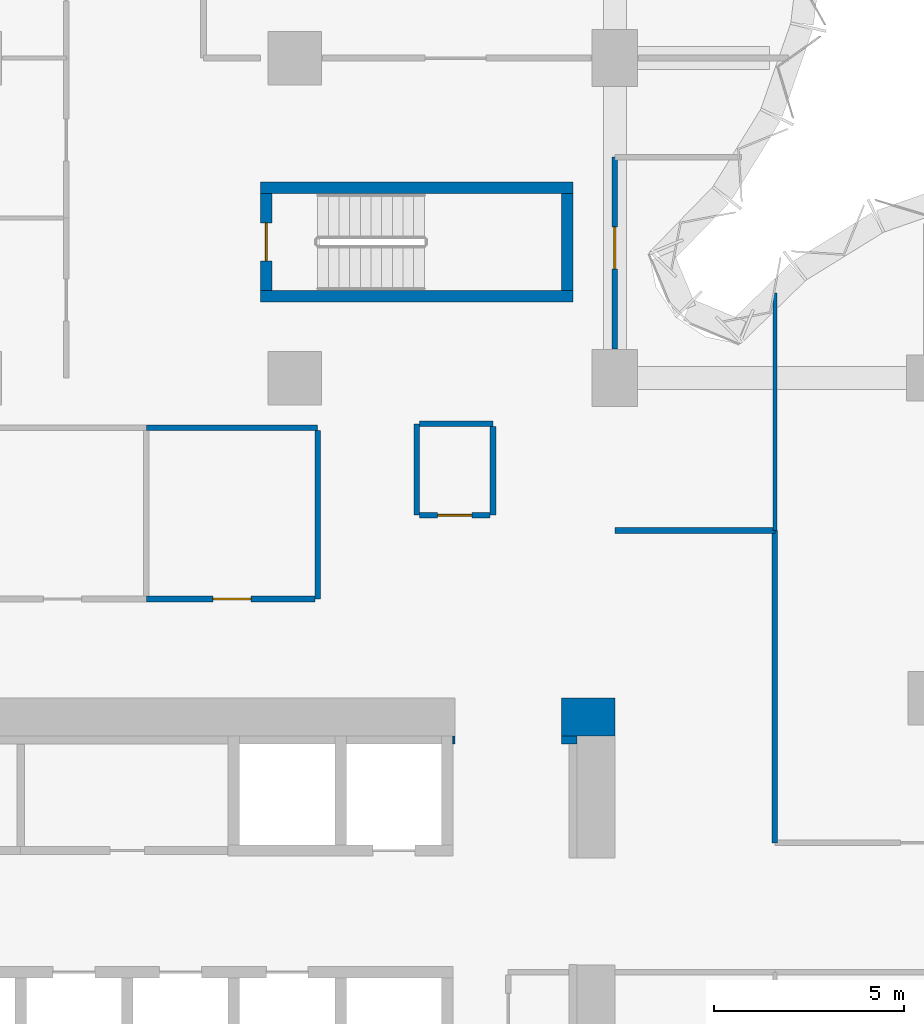
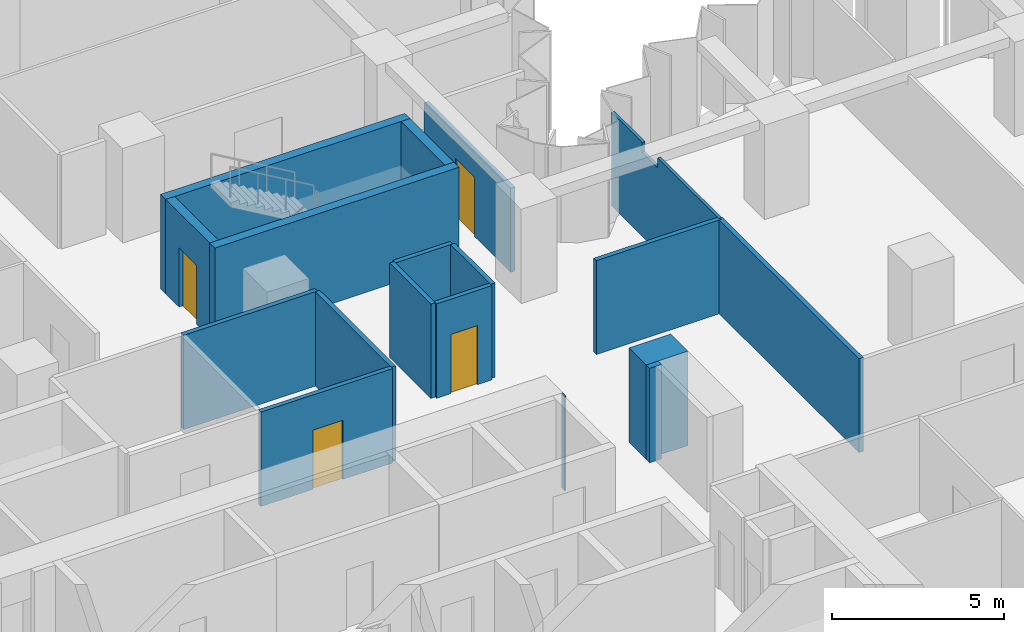
# One storey, part 9 of 15: 18 walls, 4 doors, 4 openings.
"""IFC4 building model written with IfcOpenShell, lengths in metres."""

import ifcopenshell
import ifcopenshell.guid

model = None  # the IFC model being written
_history = None  # IfcOwnerHistory: only IFC2X3 demands one
_inside = {}  # id of a spatial element -> (the spatial element, [elements in it])
_under = {}  # id of a project, library or spatial element -> (it, [spatial elements below it])
_declared = {}  # id of a project -> (the project, [libraries it declares])
_typed = {}  # id of a type object -> (the type object, [elements of that type])
_made_of = {}  # id of a material, layer set ... -> (it, [elements and type objects made of it])


def new_model(schema):
    """Start an empty IFC model of exactly this schema.

    Asked for "IFC4X3", IfcOpenShell would pick the latest addendum, in which some entities
    have other attributes; the version numbers below select the first issue.
    IFC2X3 requires an IfcOwnerHistory on every rooted entity: one is made here for all.
    """
    global model, _history
    if schema == "IFC4X3":
        model = ifcopenshell.file(schema_version=(4, 3, 0, 0))
    else:
        model = ifcopenshell.file(schema=schema)
    _inside.clear()
    _under.clear()
    _declared.clear()
    _typed.clear()
    _made_of.clear()
    _history = None
    if model.schema == "IFC2X3":
        org = make("IfcOrganization", Name="unknown")
        user = make(
            "IfcPersonAndOrganization",
            ThePerson=make("IfcPerson", FamilyName="unknown"),
            TheOrganization=org,
        )
        app = make(
            "IfcApplication",
            ApplicationDeveloper=org,
            Version="unknown",
            ApplicationFullName="unknown",
            ApplicationIdentifier="unknown",
        )
        _history = make(
            "IfcOwnerHistory",
            OwningUser=user,
            OwningApplication=app,
            ChangeAction="ADDED",
            CreationDate=0,
        )
    return model


def make(cls, **values):
    """One entity of the class cls with the attributes given. An attribute that is None is left unset."""
    return model.create_entity(
        cls, **{name: value for name, value in values.items() if value is not None}
    )


def rooted(cls, **values):
    """An entity with a GlobalId (a new one), such as an element, a storey or a relation."""
    return make(cls, GlobalId=ifcopenshell.guid.new(), OwnerHistory=_history, **values)


def si_unit(unit_type, name, prefix=None):
    """IfcSIUnit, for example si_unit("LENGTHUNIT", "METRE", prefix="MILLI")."""
    return make("IfcSIUnit", UnitType=unit_type, Prefix=prefix, Name=name)


def assignment(units):
    """IfcUnitAssignment: the units of a project."""
    return None if units is None else make("IfcUnitAssignment", Units=units)


def point(xyz):
    """IfcCartesianPoint."""
    return None if xyz is None else make("IfcCartesianPoint", Coordinates=xyz)


def direction(xyz):
    """IfcDirection."""
    return None if xyz is None else make("IfcDirection", DirectionRatios=xyz)


def frame(location, z_axis=None, x_axis=None):
    """IfcAxis2Placement3D, a coordinate frame: its origin and axes. An axis left out is left unset."""
    return make(
        "IfcAxis2Placement3D",
        Location=point(location),
        Axis=direction(z_axis),
        RefDirection=direction(x_axis),
    )


def frame_2d(location, x_axis=None):
    """IfcAxis2Placement2D, a coordinate frame in the plane: its origin and x axis."""
    return make(
        "IfcAxis2Placement2D", Location=point(location), RefDirection=direction(x_axis)
    )


def origin():
    """The frame at (0, 0, 0) with its axes left unset."""
    return frame((0.0, 0.0, 0.0))


def place(relative_to, where):
    """IfcLocalPlacement: puts the frame where relative to a parent placement (None: the world)."""
    return make(
        "IfcLocalPlacement", PlacementRelTo=relative_to, RelativePlacement=where
    )


def context(
    kind, dimensions, precision=None, world=None, true_north=None, identifier=None
):
    """IfcGeometricRepresentationContext, for example the 3D "Model" context."""
    return make(
        "IfcGeometricRepresentationContext",
        ContextIdentifier=identifier,
        ContextType=kind,
        CoordinateSpaceDimension=dimensions,
        Precision=precision,
        WorldCoordinateSystem=world,
        TrueNorth=true_north,
    )


def subcontext(parent, identifier, kind, view, scale=None):
    """IfcGeometricRepresentationSubContext, for example "Body" below "Model"."""
    return make(
        "IfcGeometricRepresentationSubContext",
        ContextIdentifier=identifier,
        ContextType=kind,
        ParentContext=parent,
        TargetScale=scale,
        TargetView=view,
    )


def project(units=None, contexts=None):
    """IfcProject with its units and contexts."""
    return rooted(
        "IfcProject",
        Name="project",
        RepresentationContexts=contexts,
        UnitsInContext=assignment(units),
    )


def spatial(cls, under=None, at=None, **own):
    """A site, building, storey or space (cls), placed at a placement, below another one or the project."""
    s = rooted(cls, ObjectPlacement=at, **own)
    if under is not None:
        _under.setdefault(under.id(), (under, []))[1].append(s)
    return s


def polyline(points):
    """IfcPolyline through the points."""
    return make("IfcPolyline", Points=[point(p) for p in points])


def profile(cls, at=None, kind="AREA", **sizes):
    """A parametric profile (cls). Its sizes go by their IFC names, for example OverallWidth=200.0."""
    return make(cls, ProfileType=kind, Position=at, **sizes)


def rectangle(**sizes):
    """IfcRectangleProfileDef."""
    return profile("IfcRectangleProfileDef", **sizes)


def outline(outer, holes=None, kind="AREA"):
    """IfcArbitraryClosedProfileDef: a profile drawn as a closed curve; with holes, ...WithVoids."""
    if holes is None:
        return make("IfcArbitraryClosedProfileDef", ProfileType=kind, OuterCurve=outer)
    return make(
        "IfcArbitraryProfileDefWithVoids",
        ProfileType=kind,
        OuterCurve=outer,
        InnerCurves=holes,
    )


def extrude(swept, where, along, depth):
    """IfcExtrudedAreaSolid: the profile swept, set in the frame where, extruded along a direction by depth."""
    return make(
        "IfcExtrudedAreaSolid",
        SweptArea=swept,
        Position=where,
        ExtrudedDirection=direction(along),
        Depth=depth,
    )


def shape(context_of_items, identifier, shape_type, items):
    """IfcShapeRepresentation: the items that make up one representation, for example the "Body"."""
    return make(
        "IfcShapeRepresentation",
        ContextOfItems=context_of_items,
        RepresentationIdentifier=identifier,
        RepresentationType=shape_type,
        Items=items,
    )


def material(Name=None, Category=None):
    """IfcMaterial."""
    return make("IfcMaterial", Name=Name, Category=Category)


def layer(
    of_material, thickness, ventilated=None, Name=None, Category=None, Priority=None
):
    """IfcMaterialLayer: one layer of a wall or slab, of a material (None: an air gap)."""
    return make(
        "IfcMaterialLayer",
        Material=of_material,
        LayerThickness=thickness,
        IsVentilated=ventilated,
        Name=Name,
        Category=Category,
        Priority=Priority,
    )


def layer_set(layers, Name=None):
    """IfcMaterialLayerSet."""
    return make("IfcMaterialLayerSet", MaterialLayers=layers, LayerSetName=Name)


def made_of(thing, what):
    """Note that an element or type object is made of a material, layer set ...; save() writes the relation."""
    if what is not None:
        _made_of.setdefault(what.id(), (what, []))[1].append(thing)
    return thing


def type_object(cls, material=None, **own):
    """A type object (cls), such as IfcWallType, which elements share."""
    return made_of(rooted(cls, **own), material)


def element(
    cls,
    number,
    at=None,
    inside=None,
    cuts=None,
    type_object=None,
    material=None,
    context=None,
    identifier="Body",
    shape_type=None,
    held_by="IfcProductDefinitionShape",
    body=None,
    shapes=None,
    **own,
):
    """One element of the class cls, such as IfcWall. Its Tag is "e" and its number.

    at: its placement. inside: the storey or other place that contains it. cuts: it is an
    opening in that element (IfcRelVoidsElement). A single representation is given by context,
    identifier, shape_type and body (its items); several are given by shapes. held_by: the class
    of the entity that holds the representations. save() writes the other relations.
    """
    e = rooted(cls, Tag="e%d" % number, ObjectPlacement=at, **own)
    if body is not None:
        shapes = [shape(context, identifier, shape_type, body)]
    if shapes is not None:
        e.Representation = make(held_by, Representations=shapes)
    if inside is not None:
        _inside.setdefault(inside.id(), (inside, []))[1].append(e)
    if cuts is not None:
        rooted(
            "IfcRelVoidsElement", RelatingBuildingElement=cuts, RelatedOpeningElement=e
        )
    if type_object is not None:
        _typed.setdefault(type_object.id(), (type_object, []))[1].append(e)
    return made_of(e, material)


def fill(opening, filler):
    """IfcRelFillsElement: the door or window that sits in an opening."""
    return rooted(
        "IfcRelFillsElement",
        RelatingOpeningElement=opening,
        RelatedBuildingElement=filler,
    )


def aggregate(whole, parts):
    """IfcRelAggregates: a whole, such as a stair, and the parts it consists of."""
    return rooted("IfcRelAggregates", RelatingObject=whole, RelatedObjects=parts)


def save(model, path):
    """Write the relations noted so far, then the file.

    IfcRelAggregates (storeys below a building ...), IfcRelContainedInSpatialStructure (elements
    in a storey), IfcRelDefinesByType, IfcRelAssociatesMaterial and IfcRelDeclares: one each for
    every whole, place, type object, material and project.
    """
    for whole, parts in _under.values():
        aggregate(whole, parts)
    for where, things in _inside.values():
        rooted(
            "IfcRelContainedInSpatialStructure",
            RelatedElements=things,
            RelatingStructure=where,
        )
    for kind, things in _typed.values():
        rooted("IfcRelDefinesByType", RelatedObjects=things, RelatingType=kind)
    for what, things in _made_of.values():
        rooted("IfcRelAssociatesMaterial", RelatedObjects=things, RelatingMaterial=what)
    for by, libraries in _declared.values():
        rooted("IfcRelDeclares", RelatingContext=by, RelatedDefinitions=libraries)
    model.write(path)


model = new_model("IFC4")

# Units and contexts
model_context = context("Model", 3, precision=1e-05, world=origin(), true_north=direction((0.0, 1.0)))
body_context = subcontext(model_context, "Body", "Model", "MODEL_VIEW")
ifc_project = project(units=[si_unit("LENGTHUNIT", "METRE"), si_unit("AREAUNIT", "SQUARE_METRE"), si_unit("VOLUMEUNIT", "CUBIC_METRE"), si_unit("PLANEANGLEUNIT", "RADIAN"), si_unit("MASSUNIT", "GRAM", prefix="KILO")], contexts=[model_context])

# Site, building, storey
site_placement = place(None, origin())
site = spatial("IfcSite", under=ifc_project, at=site_placement, CompositionType="ELEMENT")
building_placement = place(site_placement, origin())
building = spatial("IfcBuilding", under=site, at=building_placement, Name="Brevane Broadcast Tower", CompositionType="ELEMENT")
storey_placement = place(building_placement, frame((0.0, 0.0, 50.89990234375)))
storey = spatial("IfcBuildingStorey", under=building, at=storey_placement, Name="L10", CompositionType="ELEMENT", Elevation=50.89990234375)

# Walls
ifc_material_1 = material(Name="Concrete C32/40", Category="concrete")
ifc_layer_1 = layer(ifc_material_1, 0.199951171875)
ifc_layer_set_1 = layer_set([ifc_layer_1], Name="Core chase wall 200 mm")
wall_type_1 = type_object("IfcWallType", Name="Core chase wall 200 mm", PredefinedType="PARTITIONING", material=ifc_layer_set_1)
wall_1_placement = place(storey_placement, frame((23.800048828125, 15.699951171875, 0.0), z_axis=(0.0, 0.0, 1.0), x_axis=(1.0, 0.0, 0.0)))
element("IfcWall", 1, at=wall_1_placement, inside=storey, type_object=wall_type_1, Name="L10 chase wall LN2", PredefinedType="PARTITIONING", context=body_context, shape_type="SweptSolid", body=[
    extrude(rectangle(XDim=0.39990234375, YDim=0.199951171875, at=frame_2d((0.199951171875, 0.0))), origin(), (0.0, 0.0, 1.0), 3.35009765625),
])
wall_2_placement = place(storey_placement, frame((20.949951171875, 15.699951171875, 0.0), z_axis=(0.0, 0.0, 1.0), x_axis=(1.0, 0.0, 0.0)))
element("IfcWall", 2, at=wall_2_placement, inside=storey, type_object=wall_type_1, Name="L10 chase wall LN1-2-2-2-2", PredefinedType="PARTITIONING", context=body_context, shape_type="SweptSolid", body=[
    extrude(rectangle(XDim=0.050048828125, YDim=0.199951171875, at=frame_2d((0.02490234375, 0.0))), origin(), (0.0, 0.0, 1.0), 3.35009765625),
])
ifc_material_2 = material(Name="Gypsum board on steel studs", Category="steel")
ifc_layer_2 = layer(ifc_material_2, 0.14990234375)
ifc_layer_set_2 = layer_set([ifc_layer_2], Name="Core fire partition 150 mm")
wall_type_2 = type_object("IfcWallType", Name="Core fire partition 150 mm", PredefinedType="PARTITIONING", material=ifc_layer_set_2)
wall_3_placement = place(storey_placement, frame((12.89990234375, 23.89990234375, 0.0), z_axis=(0.0, 0.0, 1.0), x_axis=(1.0, 0.0, 0.0)))
element("IfcWall", 3, at=wall_3_placement, inside=storey, type_object=wall_type_2, Name="L10 partition wall P19", PredefinedType="PARTITIONING", context=body_context, shape_type="SweptSolid", body=[
    extrude(rectangle(XDim=4.5, YDim=0.14990234375, at=frame_2d((2.25, 0.0))), origin(), (0.0, 0.0, 1.0), 3.35009765625),
])
wall_4_placement = place(storey_placement, frame((17.39990234375, 23.824951171875, 0.0), z_axis=(0.0, 0.0, 1.0), x_axis=(0.0, -1.0, 0.0)))
element("IfcWall", 4, at=wall_4_placement, inside=storey, type_object=wall_type_2, Name="L10 partition wall P20", PredefinedType="PARTITIONING", context=body_context, shape_type="SweptSolid", body=[
    extrude(rectangle(XDim=4.425048828125, YDim=0.14990234375, at=frame_2d((2.21240234375, 0.0))), origin(), (0.0, 0.0, 1.0), 3.35009765625),
])

# Wall, opening, door
wall_5_placement = place(storey_placement, frame((17.324951171875, 19.39990234375, 0.0), z_axis=(0.0, 0.0, 1.0), x_axis=(-1.0, 0.0, 0.0)))
wall_5 = element("IfcWall", 5, at=wall_5_placement, inside=storey, type_object=wall_type_2, Name="L10 partition wall P21", PredefinedType="PARTITIONING", context=body_context, shape_type="SweptSolid", body=[
    extrude(rectangle(XDim=4.425048828125, YDim=0.14990234375, at=frame_2d((2.21240234375, 0.0))), origin(), (0.0, 0.0, 1.0), 3.35009765625),
])
opening_1_placement = place(wall_5_placement, frame((1.675048828125, 0.0, 0.0)))
opening_1 = element("IfcOpeningElement", 6, at=opening_1_placement, cuts=wall_5, Name="Opening L10-K26", PredefinedType="OPENING", context=body_context, shape_type="SweptSolid", body=[
    extrude(rectangle(XDim=1.0, YDim=2.10009765625, at=frame_2d((0.5, 1.050048828125))), frame((0.0, 0.0849609375, 0.0), z_axis=(0.0, -1.0, 0.0), x_axis=(1.0, 0.0, 0.0)), (0.0, 0.0, 1.0), 0.169921875),
])
ifc_material_3 = material(Name="Steel", Category="steel")
door_type_1 = type_object("IfcDoorType", Name="Service room door 1000 x 2100", OperationType="SINGLE_SWING_LEFT", PredefinedType="DOOR", material=ifc_material_3)
door_1_placement = place(opening_1_placement, origin())
door_1 = element("IfcDoor", 7, at=door_1_placement, inside=storey, type_object=door_type_1, Name="Door L10-K26", OperationType="SINGLE_SWING_RIGHT", OverallHeight=2.10009765625, OverallWidth=1.0, PredefinedType="DOOR", context=body_context, shape_type="SweptSolid", body=[
    extrude(rectangle(XDim=1.0, YDim=2.10009765625, at=frame_2d((0.5, 1.050048828125))), frame((0.0, 0.02490234375, 0.0), z_axis=(0.0, -1.0, 0.0), x_axis=(1.0, 0.0, 0.0)), (0.0, 0.0, 1.0), 0.050048828125),
])
fill(opening_1, door_1)

# Walls
wall_6_placement = place(storey_placement, frame((20.0, 21.60009765625, 0.0), z_axis=(0.0, 0.0, 1.0), x_axis=(0.0, 1.0, 0.0)))
element("IfcWall", 8, at=wall_6_placement, inside=storey, type_object=wall_type_2, Name="L10 partition wall P25", PredefinedType="PARTITIONING", context=body_context, shape_type="SweptSolid", body=[
    extrude(rectangle(XDim=2.39990234375, YDim=0.14990234375, at=frame_2d((1.199951171875, 0.0))), origin(), (0.0, 0.0, 1.0), 3.35009765625),
])
wall_7_placement = place(storey_placement, frame((20.074951171875, 24.0, 0.0), z_axis=(0.0, 0.0, 1.0), x_axis=(1.0, 0.0, 0.0)))
element("IfcWall", 9, at=wall_7_placement, inside=storey, type_object=wall_type_2, Name="L10 partition wall P26", PredefinedType="PARTITIONING", context=body_context, shape_type="SweptSolid", body=[
    extrude(rectangle(XDim=1.925048828125, YDim=0.14990234375, at=frame_2d((0.96240234375, 0.0))), origin(), (0.0, 0.0, 1.0), 3.35009765625),
])
wall_8_placement = place(storey_placement, frame((22.0, 23.925048828125, 0.0), z_axis=(0.0, 0.0, 1.0), x_axis=(0.0, -1.0, 0.0)))
element("IfcWall", 10, at=wall_8_placement, inside=storey, type_object=wall_type_2, Name="L10 partition wall P27", PredefinedType="PARTITIONING", context=body_context, shape_type="SweptSolid", body=[
    extrude(rectangle(XDim=2.324951171875, YDim=0.14990234375, at=frame_2d((1.16259765625, 0.0))), origin(), (0.0, 0.0, 1.0), 3.35009765625),
])

# Wall, opening, door
wall_9_placement = place(storey_placement, frame((21.925048828125, 21.60009765625, 0.0), z_axis=(0.0, 0.0, 1.0), x_axis=(-1.0, 0.0, 0.0)))
wall_9 = element("IfcWall", 11, at=wall_9_placement, inside=storey, type_object=wall_type_2, Name="L10 partition wall P28", PredefinedType="PARTITIONING", context=body_context, shape_type="SweptSolid", body=[
    extrude(rectangle(XDim=1.85009765625, YDim=0.14990234375, at=frame_2d((0.925048828125, 0.0))), origin(), (0.0, 0.0, 1.0), 3.35009765625),
])
opening_2_placement = place(wall_9_placement, frame((0.47509765625, 0.0, 0.0)))
opening_2 = element("IfcOpeningElement", 12, at=opening_2_placement, cuts=wall_9, Name="Opening L10-K24", PredefinedType="OPENING", context=body_context, shape_type="SweptSolid", body=[
    extrude(rectangle(XDim=0.89990234375, YDim=2.10009765625, at=frame_2d((0.449951171875, 1.050048828125))), frame((0.0, 0.0849609375, 0.0), z_axis=(0.0, -1.0, 0.0), x_axis=(1.0, 0.0, 0.0)), (0.0, 0.0, 1.0), 0.169921875),
])
ifc_material_4 = material(Name="Timber", Category="wood")
door_type_2 = type_object("IfcDoorType", Name="Toilet door 900 x 2100", OperationType="SINGLE_SWING_LEFT", PredefinedType="DOOR", material=ifc_material_4)
door_2_placement = place(opening_2_placement, origin())
door_2 = element("IfcDoor", 13, at=door_2_placement, inside=storey, type_object=door_type_2, Name="Door L10-K24", OperationType="SINGLE_SWING_RIGHT", OverallHeight=2.10009765625, OverallWidth=0.89990234375, PredefinedType="DOOR", context=body_context, shape_type="SweptSolid", body=[
    extrude(rectangle(XDim=0.89990234375, YDim=2.10009765625, at=frame_2d((0.449951171875, 1.050048828125))), frame((0.0, 0.02490234375, 0.0), z_axis=(0.0, -1.0, 0.0), x_axis=(1.0, 0.0, 0.0)), (0.0, 0.0, 1.0), 0.050048828125),
])
fill(opening_2, door_2)

# Walls
ifc_material_5 = material(Name="Concrete C80/95", Category="concrete")
ifc_layer_3 = layer(ifc_material_5, 1.0)
ifc_layer_set_3 = layer_set([ifc_layer_3], Name="Core wall 1000 mm C80/95")
wall_type_3 = type_object("IfcWallType", Name="Core wall 1000 mm C80/95", PredefinedType="SHEAR", material=ifc_layer_set_3)
wall_10_placement = place(storey_placement, frame((23.800048828125, 16.300048828125, 0.0), z_axis=(0.0, 0.0, 1.0), x_axis=(1.0, 0.0, 0.0)))
element("IfcWall", 14, at=wall_10_placement, inside=storey, type_object=wall_type_3, Name="L10 outer wall WN2", PredefinedType="SHEAR", context=body_context, shape_type="SweptSolid", body=[
    extrude(rectangle(XDim=1.39990234375, YDim=1.0, at=frame_2d((0.699951171875, 0.0))), origin(), (0.0, 0.0, 1.0), 3.35009765625),
])
ifc_layer_4 = layer(ifc_material_5, 0.300048828125)
ifc_layer_set_4 = layer_set([ifc_layer_4], Name="Core wall 300 mm C80/95")
wall_type_4 = type_object("IfcWallType", Name="Core wall 300 mm C80/95", PredefinedType="SHEAR", material=ifc_layer_set_4)
for number, where, z_axis, x_axis, name in (
    (15, (15.89990234375, 27.35009765625, 0.0), (0.0, 0.0, 1.0), (1.0, 0.0, 0.0), "L10 stair wall ST-3-S"),
    (16, (15.89990234375, 30.199951171875, 0.0), (0.0, 0.0, 1.0), (1.0, 0.0, 0.0), "L10 stair wall ST-3-N"),
):
    element("IfcWall", number, at=place(storey_placement, frame(where, z_axis=z_axis, x_axis=x_axis)), inside=storey, type_object=wall_type_4, Name=name, PredefinedType="SHEAR", context=body_context, shape_type="SweptSolid", body=[
        extrude(rectangle(XDim=8.2001953125, YDim=0.300048828125, at=frame_2d((4.10009765625, 0.0))), origin(), (0.0, 0.0, 1.0), 3.35009765625),
    ])

# Wall, opening, door
wall_11_placement = place(storey_placement, frame((16.050048828125, 27.5, 0.0), z_axis=(0.0, 0.0, 1.0), x_axis=(0.0, 1.0, 0.0)))
wall_11 = element("IfcWall", 17, at=wall_11_placement, inside=storey, type_object=wall_type_4, Name="L10 stair wall ST-3-W", PredefinedType="SHEAR", context=body_context, shape_type="SweptSolid", body=[
    extrude(rectangle(XDim=2.550048828125, YDim=0.300048828125, at=frame_2d((1.27490234375, 0.0))), origin(), (0.0, 0.0, 1.0), 3.35009765625),
])
opening_3_placement = place(wall_11_placement, frame((0.77490234375, 0.0, 0.0)))
opening_3 = element("IfcOpeningElement", 18, at=opening_3_placement, cuts=wall_11, Name="Opening L10-K14", PredefinedType="OPENING", context=body_context, shape_type="SweptSolid", body=[
    extrude(rectangle(XDim=1.0, YDim=2.10009765625, at=frame_2d((0.5, 1.050048828125))), frame((0.0, 0.159912109375, 0.0), z_axis=(0.0, -1.0, 0.0), x_axis=(1.0, 0.0, 0.0)), (0.0, 0.0, 1.0), 0.320068359375),
])
door_type_3 = type_object("IfcDoorType", Name="Stair door 1000 x 2100", OperationType="SINGLE_SWING_LEFT", PredefinedType="DOOR", material=ifc_material_3)
door_3_placement = place(opening_3_placement, origin())
door_3 = element("IfcDoor", 19, at=door_3_placement, inside=storey, type_object=door_type_3, Name="Door L10-K14", OperationType="SINGLE_SWING_RIGHT", OverallHeight=2.10009765625, OverallWidth=1.0, PredefinedType="DOOR", context=body_context, shape_type="SweptSolid", body=[
    extrude(rectangle(XDim=1.0, YDim=2.10009765625, at=frame_2d((0.5, 1.050048828125))), frame((0.0, 0.02490234375, 0.0), z_axis=(0.0, -1.0, 0.0), x_axis=(1.0, 0.0, 0.0)), (0.0, 0.0, 1.0), 0.050048828125),
])
fill(opening_3, door_3)

# Walls
wall_12_placement = place(storey_placement, frame((23.949951171875, 27.5, 0.0), z_axis=(0.0, 0.0, 1.0), x_axis=(0.0, 1.0, 0.0)))
element("IfcWall", 20, at=wall_12_placement, inside=storey, type_object=wall_type_4, Name="L10 stair wall ST-3-E", PredefinedType="SHEAR", context=body_context, shape_type="SweptSolid", body=[
    extrude(rectangle(XDim=2.550048828125, YDim=0.300048828125, at=frame_2d((1.27490234375, 0.0))), origin(), (0.0, 0.0, 1.0), 3.35009765625),
])
ifc_material_6 = material(Name="Gypsum board partition")
ifc_layer_5 = layer(ifc_material_6, 0.10009765625)
ifc_layer_set_5 = layer_set([ifc_layer_5], Name="PARTITION 100 STUD")
wall_type_5 = type_object("IfcWallType", Name="PARTITION 100 STUD", PredefinedType="PARTITIONING", material=ifc_layer_set_5)
wall_13_placement = place(storey_placement, frame((29.39990234375, 27.428955078125, 0.0), z_axis=(0.0, 0.0, 1.0), x_axis=(0.0, -1.0, 0.0)))
element("IfcWall", 21, at=wall_13_placement, inside=storey, type_object=wall_type_5, Name="Partition G02-004", PredefinedType="PARTITIONING", context=body_context, shape_type="SweptSolid", body=[
    extrude(outline(polyline([(0.0, 0.0), (6.22900390625, 0.0), (6.22900390625, 3.330078125), (2.678955078125, 3.330078125), (2.677001953125, 2.97998046875), (1.781005859375, 2.97998046875), (1.779052734375, 3.330078125), (0.154052734375, 3.330078125), (0.0, 3.330078125), (0.0, 0.0)])), frame((0.0, 0.050048828125, 0.0), z_axis=(0.0, -1.0, 0.0), x_axis=(1.0, 0.0, 0.0)), (0.0, 0.0, 1.0), 0.10009765625),
])
ifc_layer_6 = layer(ifc_material_6, 0.14990234375)
ifc_layer_set_6 = layer_set([ifc_layer_6], Name="PARTITION 150 EI 60")
wall_type_6 = type_object("IfcWallType", Name="PARTITION 150 EI 60", PredefinedType="PARTITIONING", material=ifc_layer_set_6)
wall_14_placement = place(storey_placement, frame((25.199951171875, 21.199951171875, 0.0), z_axis=(0.0, 0.0, 1.0), x_axis=(1.0, 0.0, 0.0)))
element("IfcWall", 22, at=wall_14_placement, inside=storey, type_object=wall_type_6, Name="Partition G02-001", PredefinedType="PARTITIONING", context=body_context, shape_type="SweptSolid", body=[
    extrude(rectangle(XDim=4.199951171875, YDim=0.14990234375, at=frame_2d((2.10009765625, 0.0))), origin(), (0.0, 0.0, 1.0), 3.330078125),
])
wall_15_placement = place(storey_placement, frame((29.39990234375, 21.199951171875, 0.0), z_axis=(0.0, 0.0, 1.0), x_axis=(0.0, -1.0, 0.0)))
element("IfcWall", 23, at=wall_15_placement, inside=storey, type_object=wall_type_6, Name="Partition G02-003", PredefinedType="PARTITIONING", context=body_context, shape_type="SweptSolid", body=[
    extrude(rectangle(XDim=8.199951171875, YDim=0.14990234375, at=frame_2d((4.10009765625, 0.0))), origin(), (0.0, 0.0, 1.0), 3.330078125),
])

# Wall, opening, door
wall_16_placement = place(storey_placement, frame((25.199951171875, 31.0, 0.0), z_axis=(0.0, 0.0, 1.0), x_axis=(0.0, -1.0, 0.0)))
wall_16 = element("IfcWall", 24, at=wall_16_placement, inside=storey, type_object=wall_type_6, Name="Partition G02-005", PredefinedType="PARTITIONING", context=body_context, shape_type="SweptSolid", body=[
    extrude(outline(polyline([(0.0, 0.0), (5.030029296875, 0.0), (5.030029296875, 2.97998046875), (0.0, 2.97998046875), (0.0, 0.0)])), frame((0.0, 0.074951171875, 0.0), z_axis=(0.0, -1.0, 0.0), x_axis=(1.0, 0.0, 0.0)), (0.0, 0.0, 1.0), 0.14990234375),
])
opening_4_placement = place(wall_16_placement, frame((1.830078125, 0.0, 0.0)))
opening_4 = element("IfcOpeningElement", 25, at=opening_4_placement, cuts=wall_16, Name="Opening D08-001", PredefinedType="OPENING", context=body_context, shape_type="SweptSolid", body=[
    extrude(rectangle(XDim=1.10009765625, YDim=2.10009765625, at=frame_2d((0.550048828125, 1.050048828125))), frame((0.0, 0.0849609375, 0.0), z_axis=(0.0, -1.0, 0.0), x_axis=(1.0, 0.0, 0.0)), (0.0, 0.0, 1.0), 0.169921875),
])
ifc_material_7 = material(Name="Fire-rated timber door leaf", Category="wood")
door_type_4 = type_object("IfcDoorType", Name="DOOR SINGLE 1100 FD30S", OperationType="SINGLE_SWING_LEFT", PredefinedType="DOOR", material=ifc_material_7)
door_4_placement = place(opening_4_placement, origin())
door_4 = element("IfcDoor", 26, at=door_4_placement, inside=storey, type_object=door_type_4, Name="Door D08-001", OperationType="SINGLE_SWING_RIGHT", OverallHeight=2.10009765625, OverallWidth=1.10009765625, PredefinedType="DOOR", context=body_context, shape_type="SweptSolid", body=[
    extrude(rectangle(XDim=1.10009765625, YDim=2.10009765625, at=frame_2d((0.550048828125, 1.050048828125))), frame((0.0, 0.02490234375, 0.0), z_axis=(0.0, -1.0, 0.0), x_axis=(1.0, 0.0, 0.0)), (0.0, 0.0, 1.0), 0.050048828125),
])
fill(opening_4, door_4)

save(model, "model.ifc")
